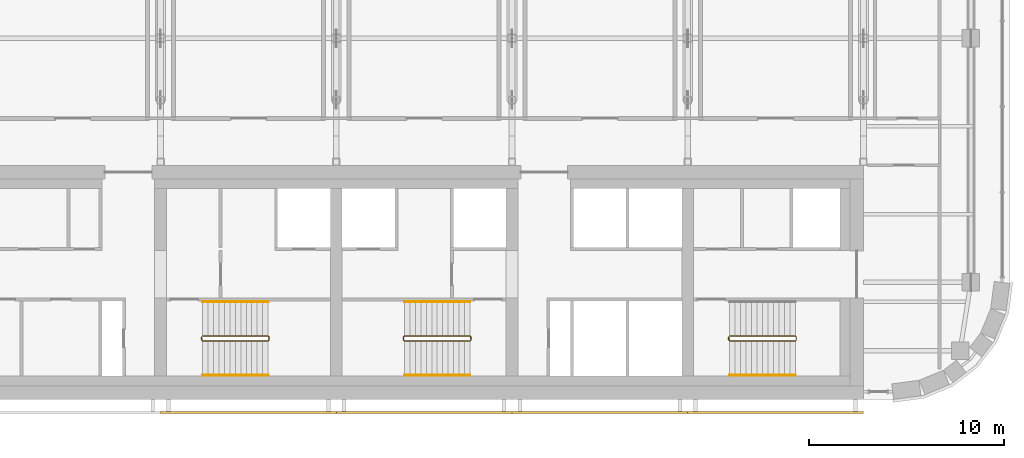
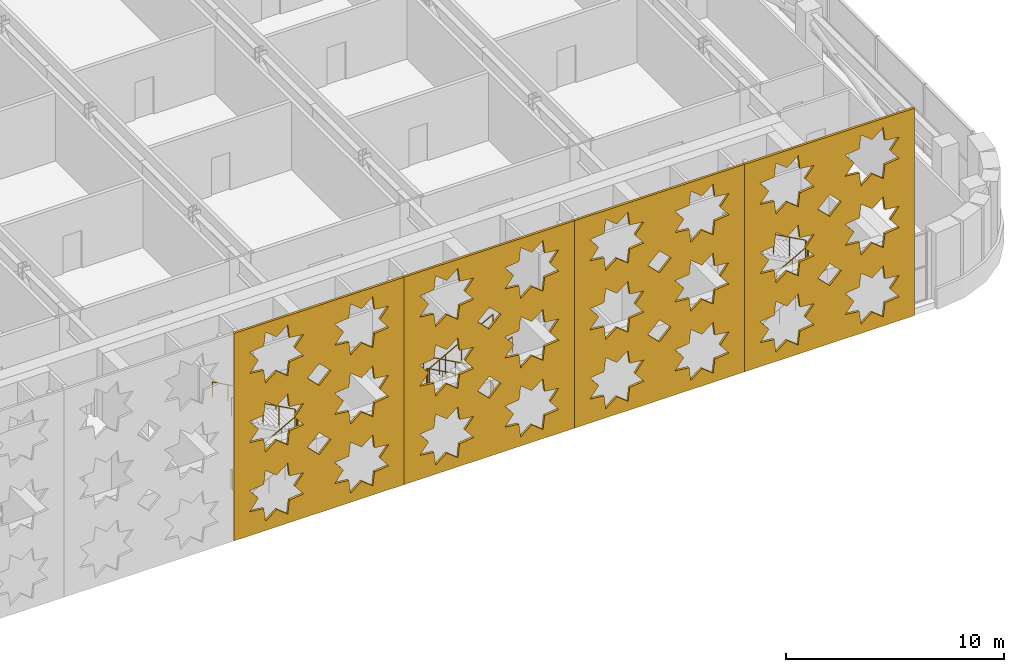
# One storey, part 22 of 26: 8 railings, 4 coverings.
"""IFC4 building model written with IfcOpenShell, lengths in metres."""

import ifcopenshell
import ifcopenshell.guid

model = None  # the IFC model being written
_history = None  # IfcOwnerHistory: only IFC2X3 demands one
_inside = {}  # id of a spatial element -> (the spatial element, [elements in it])
_under = {}  # id of a project, library or spatial element -> (it, [spatial elements below it])
_declared = {}  # id of a project -> (the project, [libraries it declares])
_typed = {}  # id of a type object -> (the type object, [elements of that type])
_made_of = {}  # id of a material, layer set ... -> (it, [elements and type objects made of it])


def new_model(schema):
    """Start an empty IFC model of exactly this schema.

    Asked for "IFC4X3", IfcOpenShell would pick the latest addendum, in which some entities
    have other attributes; the version numbers below select the first issue.
    IFC2X3 requires an IfcOwnerHistory on every rooted entity: one is made here for all.
    """
    global model, _history
    if schema == "IFC4X3":
        model = ifcopenshell.file(schema_version=(4, 3, 0, 0))
    else:
        model = ifcopenshell.file(schema=schema)
    _inside.clear()
    _under.clear()
    _declared.clear()
    _typed.clear()
    _made_of.clear()
    _history = None
    if model.schema == "IFC2X3":
        org = make("IfcOrganization", Name="unknown")
        user = make(
            "IfcPersonAndOrganization",
            ThePerson=make("IfcPerson", FamilyName="unknown"),
            TheOrganization=org,
        )
        app = make(
            "IfcApplication",
            ApplicationDeveloper=org,
            Version="unknown",
            ApplicationFullName="unknown",
            ApplicationIdentifier="unknown",
        )
        _history = make(
            "IfcOwnerHistory",
            OwningUser=user,
            OwningApplication=app,
            ChangeAction="ADDED",
            CreationDate=0,
        )
    return model


def make(cls, **values):
    """One entity of the class cls with the attributes given. An attribute that is None is left unset."""
    return model.create_entity(
        cls, **{name: value for name, value in values.items() if value is not None}
    )


def rooted(cls, **values):
    """An entity with a GlobalId (a new one), such as an element, a storey or a relation."""
    return make(cls, GlobalId=ifcopenshell.guid.new(), OwnerHistory=_history, **values)


def si_unit(unit_type, name, prefix=None):
    """IfcSIUnit, for example si_unit("LENGTHUNIT", "METRE", prefix="MILLI")."""
    return make("IfcSIUnit", UnitType=unit_type, Prefix=prefix, Name=name)


def assignment(units):
    """IfcUnitAssignment: the units of a project."""
    return None if units is None else make("IfcUnitAssignment", Units=units)


def point(xyz):
    """IfcCartesianPoint."""
    return None if xyz is None else make("IfcCartesianPoint", Coordinates=xyz)


def direction(xyz):
    """IfcDirection."""
    return None if xyz is None else make("IfcDirection", DirectionRatios=xyz)


def frame(location, z_axis=None, x_axis=None):
    """IfcAxis2Placement3D, a coordinate frame: its origin and axes. An axis left out is left unset."""
    return make(
        "IfcAxis2Placement3D",
        Location=point(location),
        Axis=direction(z_axis),
        RefDirection=direction(x_axis),
    )


def frame_2d(location, x_axis=None):
    """IfcAxis2Placement2D, a coordinate frame in the plane: its origin and x axis."""
    return make(
        "IfcAxis2Placement2D", Location=point(location), RefDirection=direction(x_axis)
    )


def origin():
    """The frame at (0, 0, 0) with its axes left unset."""
    return frame((0.0, 0.0, 0.0))


def origin_2d():
    """The frame at (0, 0) in the plane with its x axis left unset."""
    return frame_2d((0.0, 0.0))


def place(relative_to, where):
    """IfcLocalPlacement: puts the frame where relative to a parent placement (None: the world)."""
    return make(
        "IfcLocalPlacement", PlacementRelTo=relative_to, RelativePlacement=where
    )


def context(
    kind, dimensions, precision=None, world=None, true_north=None, identifier=None
):
    """IfcGeometricRepresentationContext, for example the 3D "Model" context."""
    return make(
        "IfcGeometricRepresentationContext",
        ContextIdentifier=identifier,
        ContextType=kind,
        CoordinateSpaceDimension=dimensions,
        Precision=precision,
        WorldCoordinateSystem=world,
        TrueNorth=true_north,
    )


def subcontext(parent, identifier, kind, view, scale=None):
    """IfcGeometricRepresentationSubContext, for example "Body" below "Model"."""
    return make(
        "IfcGeometricRepresentationSubContext",
        ContextIdentifier=identifier,
        ContextType=kind,
        ParentContext=parent,
        TargetScale=scale,
        TargetView=view,
    )


def project(units=None, contexts=None):
    """IfcProject with its units and contexts."""
    return rooted(
        "IfcProject",
        Name="project",
        RepresentationContexts=contexts,
        UnitsInContext=assignment(units),
    )


def spatial(cls, under=None, at=None, **own):
    """A site, building, storey or space (cls), placed at a placement, below another one or the project."""
    s = rooted(cls, ObjectPlacement=at, **own)
    if under is not None:
        _under.setdefault(under.id(), (under, []))[1].append(s)
    return s


def polyline(points):
    """IfcPolyline through the points."""
    return make("IfcPolyline", Points=[point(p) for p in points])


def profile(cls, at=None, kind="AREA", **sizes):
    """A parametric profile (cls). Its sizes go by their IFC names, for example OverallWidth=200.0."""
    return make(cls, ProfileType=kind, Position=at, **sizes)


def circle(**sizes):
    """IfcCircleProfileDef."""
    return profile("IfcCircleProfileDef", **sizes)


def outline(outer, holes=None, kind="AREA"):
    """IfcArbitraryClosedProfileDef: a profile drawn as a closed curve; with holes, ...WithVoids."""
    if holes is None:
        return make("IfcArbitraryClosedProfileDef", ProfileType=kind, OuterCurve=outer)
    return make(
        "IfcArbitraryProfileDefWithVoids",
        ProfileType=kind,
        OuterCurve=outer,
        InnerCurves=holes,
    )


def extrude(swept, where, along, depth):
    """IfcExtrudedAreaSolid: the profile swept, set in the frame where, extruded along a direction by depth."""
    return make(
        "IfcExtrudedAreaSolid",
        SweptArea=swept,
        Position=where,
        ExtrudedDirection=direction(along),
        Depth=depth,
    )


def shape(context_of_items, identifier, shape_type, items):
    """IfcShapeRepresentation: the items that make up one representation, for example the "Body"."""
    return make(
        "IfcShapeRepresentation",
        ContextOfItems=context_of_items,
        RepresentationIdentifier=identifier,
        RepresentationType=shape_type,
        Items=items,
    )


def material(Name=None, Category=None):
    """IfcMaterial."""
    return make("IfcMaterial", Name=Name, Category=Category)


def layer(
    of_material, thickness, ventilated=None, Name=None, Category=None, Priority=None
):
    """IfcMaterialLayer: one layer of a wall or slab, of a material (None: an air gap)."""
    return make(
        "IfcMaterialLayer",
        Material=of_material,
        LayerThickness=thickness,
        IsVentilated=ventilated,
        Name=Name,
        Category=Category,
        Priority=Priority,
    )


def layer_set(layers, Name=None):
    """IfcMaterialLayerSet."""
    return make("IfcMaterialLayerSet", MaterialLayers=layers, LayerSetName=Name)


def made_of(thing, what):
    """Note that an element or type object is made of a material, layer set ...; save() writes the relation."""
    if what is not None:
        _made_of.setdefault(what.id(), (what, []))[1].append(thing)
    return thing


def type_object(cls, material=None, **own):
    """A type object (cls), such as IfcWallType, which elements share."""
    return made_of(rooted(cls, **own), material)


def element(
    cls,
    number,
    at=None,
    inside=None,
    cuts=None,
    type_object=None,
    material=None,
    context=None,
    identifier="Body",
    shape_type=None,
    held_by="IfcProductDefinitionShape",
    body=None,
    shapes=None,
    **own,
):
    """One element of the class cls, such as IfcWall. Its Tag is "e" and its number.

    at: its placement. inside: the storey or other place that contains it. cuts: it is an
    opening in that element (IfcRelVoidsElement). A single representation is given by context,
    identifier, shape_type and body (its items); several are given by shapes. held_by: the class
    of the entity that holds the representations. save() writes the other relations.
    """
    e = rooted(cls, Tag="e%d" % number, ObjectPlacement=at, **own)
    if body is not None:
        shapes = [shape(context, identifier, shape_type, body)]
    if shapes is not None:
        e.Representation = make(held_by, Representations=shapes)
    if inside is not None:
        _inside.setdefault(inside.id(), (inside, []))[1].append(e)
    if cuts is not None:
        rooted(
            "IfcRelVoidsElement", RelatingBuildingElement=cuts, RelatedOpeningElement=e
        )
    if type_object is not None:
        _typed.setdefault(type_object.id(), (type_object, []))[1].append(e)
    return made_of(e, material)


def aggregate(whole, parts):
    """IfcRelAggregates: a whole, such as a stair, and the parts it consists of."""
    return rooted("IfcRelAggregates", RelatingObject=whole, RelatedObjects=parts)


def save(model, path):
    """Write the relations noted so far, then the file.

    IfcRelAggregates (storeys below a building ...), IfcRelContainedInSpatialStructure (elements
    in a storey), IfcRelDefinesByType, IfcRelAssociatesMaterial and IfcRelDeclares: one each for
    every whole, place, type object, material and project.
    """
    for whole, parts in _under.values():
        aggregate(whole, parts)
    for where, things in _inside.values():
        rooted(
            "IfcRelContainedInSpatialStructure",
            RelatedElements=things,
            RelatingStructure=where,
        )
    for kind, things in _typed.values():
        rooted("IfcRelDefinesByType", RelatedObjects=things, RelatingType=kind)
    for what, things in _made_of.values():
        rooted("IfcRelAssociatesMaterial", RelatedObjects=things, RelatingMaterial=what)
    for by, libraries in _declared.values():
        rooted("IfcRelDeclares", RelatingContext=by, RelatedDefinitions=libraries)
    model.write(path)


model = new_model("IFC4")

# Units and contexts
model_context = context("Model", 3, precision=1e-05, world=origin(), true_north=direction((0.0, 1.0)))
body_context = subcontext(model_context, "Body", "Model", "MODEL_VIEW")
ifc_project = project(units=[si_unit("LENGTHUNIT", "METRE"), si_unit("AREAUNIT", "SQUARE_METRE"), si_unit("VOLUMEUNIT", "CUBIC_METRE"), si_unit("PLANEANGLEUNIT", "RADIAN"), si_unit("MASSUNIT", "GRAM", prefix="KILO")], contexts=[model_context])

# Site, building, storey
site_placement = place(None, origin())
site = spatial("IfcSite", under=ifc_project, at=site_placement, CompositionType="ELEMENT")
building_placement = place(site_placement, origin())
building = spatial("IfcBuilding", under=site, at=building_placement, Name="Zellij Exchange Tower", CompositionType="ELEMENT")
storey_placement = place(building_placement, frame((0.0, 0.0, 216.5)))
storey = spatial("IfcBuildingStorey", under=building, at=storey_placement, Name="L50", CompositionType="ELEMENT", Elevation=216.5)

# Railings
ifc_material_1 = material(Name="Stainless steel", Category="steel")
railing_type_1 = type_object("IfcRailingType", Name="CORE-RG stair guard", PredefinedType="GUARDRAIL", material=ifc_material_1)
railing_1_placement = place(storey_placement, frame((-6.89990234375, -10.949951171875, 0.0)))
element("IfcRailing", 1, at=railing_1_placement, inside=storey, type_object=railing_type_1, Name="ST2 stair guard L50", PredefinedType="GUARDRAIL", context=body_context, shape_type="SweptSolid", body=[
    extrude(circle(Radius=0.02392578125, at=origin_2d()), frame((0.0, 0.0, 1.076171875), z_axis=(0.0, 1.0, 0.0), x_axis=(-1.0, 0.0, 0.0)), (0.0, 0.0, 1.0), 0.14990234375),
    extrude(circle(Radius=0.02392578125, at=origin_2d()), frame((0.0, 0.14990234375, 1.076171875), z_axis=(0.193691321961, -0.777613689637, 0.598164376644), x_axis=(0.970351222016, 0.241699205484, 0.0)), (0.0, 0.0, 1.0), 0.257080078125),
    extrude(circle(Radius=0.02392578125, at=origin_2d()), frame((0.0498046875, -0.050048828125, 1.22998046875), z_axis=(0.876421534553, 0.0, 0.481544695509), x_axis=(0.0, 1.0, 0.0)), (0.0, 0.0, 1.0), 3.833984375),
    extrude(circle(Radius=0.02392578125, at=origin_2d()), frame((3.409912109375, -0.050048828125, 3.076171875), z_axis=(0.707106781187, 0.707106781187, 0.0), x_axis=(-0.707106781187, 0.707106781187, 0.0)), (0.0, 0.0, 1.0), 0.07080078125),
    extrude(circle(Radius=0.02392578125, at=origin_2d()), frame((3.4599609375, 0.0, 3.076171875), z_axis=(0.0, 1.0, 0.0), x_axis=(-1.0, 0.0, 0.0)), (0.0, 0.0, 1.0), 0.14990234375),
    extrude(circle(Radius=0.02392578125, at=origin_2d()), frame((3.4599609375, 0.14990234375, 3.076171875), z_axis=(-0.295599637079, 0.295599637079, 0.908428152975), x_axis=(-0.707106781187, -0.707106781187, 0.0)), (0.0, 0.0, 1.0), 0.16943359375),
    extrude(circle(Radius=0.02392578125, at=origin_2d()), frame((3.409912109375, 0.199951171875, 3.22998046875), z_axis=(-0.876421534553, 0.0, 0.481544695509), x_axis=(0.0, -1.0, 0.0)), (0.0, 0.0, 1.0), 3.833984375),
    extrude(circle(Radius=0.02099609375, at=origin_2d()), origin(), (0.0, 0.0, 1.0), 1.052001953125),
    extrude(circle(Radius=0.02099609375, at=origin_2d()), frame((0.0, 0.14990234375, 0.0)), (0.0, 0.0, 1.0), 1.052001953125),
    extrude(circle(Radius=0.02099609375, at=origin_2d()), frame((0.0498046875, -0.050048828125, 0.15380859375)), (0.0, 0.0, 1.0), 1.052001953125),
    extrude(circle(Radius=0.02099609375, at=origin_2d()), frame((0.889892578125, -0.050048828125, 0.615234375)), (0.0, 0.0, 1.0), 1.052001953125),
    extrude(circle(Radius=0.02099609375, at=origin_2d()), frame((1.72998046875, -0.050048828125, 1.076904296875)), (0.0, 0.0, 1.0), 1.052001953125),
    extrude(circle(Radius=0.02099609375, at=origin_2d()), frame((2.56982421875, -0.050048828125, 1.53857421875)), (0.0, 0.0, 1.0), 1.052001953125),
    extrude(circle(Radius=0.02099609375, at=origin_2d()), frame((3.409912109375, -0.050048828125, 2.0)), (0.0, 0.0, 1.0), 1.052001953125),
    extrude(circle(Radius=0.02099609375, at=origin_2d()), frame((3.4599609375, 0.0, 2.0)), (0.0, 0.0, 1.0), 1.052001953125),
    extrude(circle(Radius=0.02099609375, at=origin_2d()), frame((3.4599609375, 0.14990234375, 2.0)), (0.0, 0.0, 1.0), 1.052001953125),
    extrude(circle(Radius=0.02099609375, at=origin_2d()), frame((3.409912109375, 0.199951171875, 2.15380859375)), (0.0, 0.0, 1.0), 1.052001953125),
    extrude(circle(Radius=0.02099609375, at=origin_2d()), frame((2.56982421875, 0.199951171875, 2.615234375)), (0.0, 0.0, 1.0), 1.052001953125),
    extrude(circle(Radius=0.02099609375, at=origin_2d()), frame((1.72998046875, 0.199951171875, 3.076904296875)), (0.0, 0.0, 1.0), 1.052001953125),
    extrude(circle(Radius=0.02099609375, at=origin_2d()), frame((0.889892578125, 0.199951171875, 3.53857421875)), (0.0, 0.0, 1.0), 1.052001953125),
    extrude(circle(Radius=0.02099609375, at=origin_2d()), frame((0.0498046875, 0.199951171875, 4.0)), (0.0, 0.0, 1.0), 1.052001953125),
])
railing_2_placement = place(storey_placement, frame((6.89990234375, -10.800048828125, 0.0)))
element("IfcRailing", 2, at=railing_2_placement, inside=storey, type_object=railing_type_1, Name="ST3 stair guard L50", PredefinedType="GUARDRAIL", context=body_context, shape_type="SweptSolid", body=[
    extrude(circle(Radius=0.02392578125, at=origin_2d()), frame((0.0, 0.0, 1.076171875), z_axis=(0.0, -1.0, 0.0), x_axis=(1.0, 0.0, 0.0)), (0.0, 0.0, 1.0), 0.14990234375),
    extrude(circle(Radius=0.02392578125, at=origin_2d()), frame((0.0, -0.14990234375, 1.076171875), z_axis=(-0.193691321961, 0.777613689637, 0.598164376644), x_axis=(-0.970351222016, -0.241699205484, 0.0)), (0.0, 0.0, 1.0), 0.257080078125),
    extrude(circle(Radius=0.02392578125, at=origin_2d()), frame((-0.0498046875, 0.050048828125, 1.22998046875), z_axis=(-0.876421534553, 0.0, 0.481544695509), x_axis=(0.0, -1.0, 0.0)), (0.0, 0.0, 1.0), 3.833984375),
    extrude(circle(Radius=0.02392578125, at=origin_2d()), frame((-3.409912109375, 0.050048828125, 3.076171875), z_axis=(-0.707106781187, -0.707106781187, 0.0), x_axis=(0.707106781187, -0.707106781187, 0.0)), (0.0, 0.0, 1.0), 0.07080078125),
    extrude(circle(Radius=0.02392578125, at=origin_2d()), frame((-3.4599609375, 0.0, 3.076171875), z_axis=(0.0, -1.0, 0.0), x_axis=(1.0, 0.0, 0.0)), (0.0, 0.0, 1.0), 0.14990234375),
    extrude(circle(Radius=0.02392578125, at=origin_2d()), frame((-3.4599609375, -0.14990234375, 3.076171875), z_axis=(0.295599637079, -0.295599637079, 0.908428152975), x_axis=(0.707106781187, 0.707106781187, 0.0)), (0.0, 0.0, 1.0), 0.16943359375),
    extrude(circle(Radius=0.02392578125, at=origin_2d()), frame((-3.409912109375, -0.199951171875, 3.22998046875), z_axis=(0.876421534553, 0.0, 0.481544695509), x_axis=(0.0, 1.0, 0.0)), (0.0, 0.0, 1.0), 3.833984375),
    extrude(circle(Radius=0.02099609375, at=origin_2d()), origin(), (0.0, 0.0, 1.0), 1.052001953125),
    extrude(circle(Radius=0.02099609375, at=origin_2d()), frame((0.0, -0.14990234375, 0.0)), (0.0, 0.0, 1.0), 1.052001953125),
    extrude(circle(Radius=0.02099609375, at=origin_2d()), frame((-0.0498046875, 0.050048828125, 0.15380859375)), (0.0, 0.0, 1.0), 1.052001953125),
    extrude(circle(Radius=0.02099609375, at=origin_2d()), frame((-0.889892578125, 0.050048828125, 0.615234375)), (0.0, 0.0, 1.0), 1.052001953125),
    extrude(circle(Radius=0.02099609375, at=origin_2d()), frame((-1.72998046875, 0.050048828125, 1.076904296875)), (0.0, 0.0, 1.0), 1.052001953125),
    extrude(circle(Radius=0.02099609375, at=origin_2d()), frame((-2.56982421875, 0.050048828125, 1.53857421875)), (0.0, 0.0, 1.0), 1.052001953125),
    extrude(circle(Radius=0.02099609375, at=origin_2d()), frame((-3.409912109375, 0.050048828125, 2.0)), (0.0, 0.0, 1.0), 1.052001953125),
    extrude(circle(Radius=0.02099609375, at=origin_2d()), frame((-3.4599609375, 0.0, 2.0)), (0.0, 0.0, 1.0), 1.052001953125),
    extrude(circle(Radius=0.02099609375, at=origin_2d()), frame((-3.4599609375, -0.14990234375, 2.0)), (0.0, 0.0, 1.0), 1.052001953125),
    extrude(circle(Radius=0.02099609375, at=origin_2d()), frame((-3.409912109375, -0.199951171875, 2.15380859375)), (0.0, 0.0, 1.0), 1.052001953125),
    extrude(circle(Radius=0.02099609375, at=origin_2d()), frame((-2.56982421875, -0.199951171875, 2.615234375)), (0.0, 0.0, 1.0), 1.052001953125),
    extrude(circle(Radius=0.02099609375, at=origin_2d()), frame((-1.72998046875, -0.199951171875, 3.076904296875)), (0.0, 0.0, 1.0), 1.052001953125),
    extrude(circle(Radius=0.02099609375, at=origin_2d()), frame((-0.889892578125, -0.199951171875, 3.53857421875)), (0.0, 0.0, 1.0), 1.052001953125),
    extrude(circle(Radius=0.02099609375, at=origin_2d()), frame((-0.0498046875, -0.199951171875, 4.0)), (0.0, 0.0, 1.0), 1.052001953125),
])
railing_3_placement = place(storey_placement, frame((20.10009765625, -10.949951171875, 0.0)))
element("IfcRailing", 3, at=railing_3_placement, inside=storey, type_object=railing_type_1, Name="ST4 stair guard L50", PredefinedType="GUARDRAIL", context=body_context, shape_type="SweptSolid", body=[
    extrude(circle(Radius=0.02392578125, at=origin_2d()), frame((0.0, 0.0, 1.076171875), z_axis=(0.0, 1.0, 0.0), x_axis=(-1.0, 0.0, 0.0)), (0.0, 0.0, 1.0), 0.14990234375),
    extrude(circle(Radius=0.02392578125, at=origin_2d()), frame((0.0, 0.14990234375, 1.076171875), z_axis=(0.193691321961, -0.777613689637, 0.598164376644), x_axis=(0.970351222016, 0.241699205484, 0.0)), (0.0, 0.0, 1.0), 0.257080078125),
    extrude(circle(Radius=0.02392578125, at=origin_2d()), frame((0.0498046875, -0.050048828125, 1.22998046875), z_axis=(0.876421534553, 0.0, 0.481544695509), x_axis=(0.0, 1.0, 0.0)), (0.0, 0.0, 1.0), 3.833984375),
    extrude(circle(Radius=0.02392578125, at=origin_2d()), frame((3.409912109375, -0.050048828125, 3.076171875), z_axis=(0.707106781187, 0.707106781187, 0.0), x_axis=(-0.707106781187, 0.707106781187, 0.0)), (0.0, 0.0, 1.0), 0.07080078125),
    extrude(circle(Radius=0.02392578125, at=origin_2d()), frame((3.4599609375, 0.0, 3.076171875), z_axis=(0.0, 1.0, 0.0), x_axis=(-1.0, 0.0, 0.0)), (0.0, 0.0, 1.0), 0.14990234375),
    extrude(circle(Radius=0.02392578125, at=origin_2d()), frame((3.4599609375, 0.14990234375, 3.076171875), z_axis=(-0.295599637079, 0.295599637079, 0.908428152975), x_axis=(-0.707106781187, -0.707106781187, 0.0)), (0.0, 0.0, 1.0), 0.16943359375),
    extrude(circle(Radius=0.02392578125, at=origin_2d()), frame((3.409912109375, 0.199951171875, 3.22998046875), z_axis=(-0.876421534553, 0.0, 0.481544695509), x_axis=(0.0, -1.0, 0.0)), (0.0, 0.0, 1.0), 3.833984375),
    extrude(circle(Radius=0.02099609375, at=origin_2d()), origin(), (0.0, 0.0, 1.0), 1.052001953125),
    extrude(circle(Radius=0.02099609375, at=origin_2d()), frame((0.0, 0.14990234375, 0.0)), (0.0, 0.0, 1.0), 1.052001953125),
    extrude(circle(Radius=0.02099609375, at=origin_2d()), frame((0.0498046875, -0.050048828125, 0.15380859375)), (0.0, 0.0, 1.0), 1.052001953125),
    extrude(circle(Radius=0.02099609375, at=origin_2d()), frame((0.889892578125, -0.050048828125, 0.615234375)), (0.0, 0.0, 1.0), 1.052001953125),
    extrude(circle(Radius=0.02099609375, at=origin_2d()), frame((1.72998046875, -0.050048828125, 1.076904296875)), (0.0, 0.0, 1.0), 1.052001953125),
    extrude(circle(Radius=0.02099609375, at=origin_2d()), frame((2.56982421875, -0.050048828125, 1.53857421875)), (0.0, 0.0, 1.0), 1.052001953125),
    extrude(circle(Radius=0.02099609375, at=origin_2d()), frame((3.409912109375, -0.050048828125, 2.0)), (0.0, 0.0, 1.0), 1.052001953125),
    extrude(circle(Radius=0.02099609375, at=origin_2d()), frame((3.4599609375, 0.0, 2.0)), (0.0, 0.0, 1.0), 1.052001953125),
    extrude(circle(Radius=0.02099609375, at=origin_2d()), frame((3.4599609375, 0.14990234375, 2.0)), (0.0, 0.0, 1.0), 1.052001953125),
    extrude(circle(Radius=0.02099609375, at=origin_2d()), frame((3.409912109375, 0.199951171875, 2.15380859375)), (0.0, 0.0, 1.0), 1.052001953125),
    extrude(circle(Radius=0.02099609375, at=origin_2d()), frame((2.56982421875, 0.199951171875, 2.615234375)), (0.0, 0.0, 1.0), 1.052001953125),
    extrude(circle(Radius=0.02099609375, at=origin_2d()), frame((1.72998046875, 0.199951171875, 3.076904296875)), (0.0, 0.0, 1.0), 1.052001953125),
    extrude(circle(Radius=0.02099609375, at=origin_2d()), frame((0.889892578125, 0.199951171875, 3.53857421875)), (0.0, 0.0, 1.0), 1.052001953125),
    extrude(circle(Radius=0.02099609375, at=origin_2d()), frame((0.0498046875, 0.199951171875, 4.0)), (0.0, 0.0, 1.0), 1.052001953125),
])
railing_type_2 = type_object("IfcRailingType", Name="CORE-RH stair handrail", PredefinedType="HANDRAIL", material=ifc_material_1)
railing_4_placement = place(storey_placement, frame((-6.85009765625, -12.75, 0.15380859375)))
element("IfcRailing", 4, at=railing_4_placement, inside=storey, type_object=railing_type_2, Name="ST2 stair handrail L50", PredefinedType="HANDRAIL", context=body_context, shape_type="SweptSolid", body=[
    extrude(circle(Radius=0.02392578125, at=origin_2d()), frame((0.0, 0.0, 0.8759765625), z_axis=(0.876421534553, 0.0, 0.481544695509), x_axis=(0.0, 1.0, 0.0)), (0.0, 0.0, 1.0), 3.833984375),
    extrude(circle(Radius=0.02099609375, at=origin_2d()), origin(), (0.0, 0.0, 1.0), 0.851806640625),
    extrude(circle(Radius=0.02099609375, at=origin_2d()), frame((0.840087890625, 0.0, 0.46142578125)), (0.0, 0.0, 1.0), 0.851806640625),
    extrude(circle(Radius=0.02099609375, at=origin_2d()), frame((1.68017578125, 0.0, 0.923095703125)), (0.0, 0.0, 1.0), 0.851806640625),
    extrude(circle(Radius=0.02099609375, at=origin_2d()), frame((2.52001953125, 0.0, 1.384765625)), (0.0, 0.0, 1.0), 0.851806640625),
    extrude(circle(Radius=0.02099609375, at=origin_2d()), frame((3.360107421875, 0.0, 1.84619140625)), (0.0, 0.0, 1.0), 0.851806640625),
])
for number, where, name in (
    (5, (-3.489990234375, -9.0, 2.15380859375), "ST2 stair handrail L50"),
    (6, (6.85009765625, -9.0, 0.15380859375), "ST3 stair handrail L50"),
):
    element("IfcRailing", number, at=place(storey_placement, frame(where)), inside=storey, type_object=railing_type_2, Name=name, PredefinedType="HANDRAIL", context=body_context, shape_type="SweptSolid", body=[
        extrude(circle(Radius=0.02392578125, at=origin_2d()), frame((0.0, 0.0, 0.8759765625), z_axis=(-0.876421534553, 0.0, 0.481544695509), x_axis=(0.0, -1.0, 0.0)), (0.0, 0.0, 1.0), 3.833984375),
        extrude(circle(Radius=0.02099609375, at=origin_2d()), origin(), (0.0, 0.0, 1.0), 0.851806640625),
        extrude(circle(Radius=0.02099609375, at=origin_2d()), frame((-0.840087890625, 0.0, 0.46142578125)), (0.0, 0.0, 1.0), 0.851806640625),
        extrude(circle(Radius=0.02099609375, at=origin_2d()), frame((-1.68017578125, 0.0, 0.923095703125)), (0.0, 0.0, 1.0), 0.851806640625),
        extrude(circle(Radius=0.02099609375, at=origin_2d()), frame((-2.52001953125, 0.0, 1.384765625)), (0.0, 0.0, 1.0), 0.851806640625),
        extrude(circle(Radius=0.02099609375, at=origin_2d()), frame((-3.360107421875, 0.0, 1.84619140625)), (0.0, 0.0, 1.0), 0.851806640625),
    ])
for number, where, name in (
    (7, (3.489990234375, -12.75, 2.15380859375), "ST3 stair handrail L50"),
    (8, (20.14990234375, -12.75, 0.15380859375), "ST4 stair handrail L50"),
):
    element("IfcRailing", number, at=place(storey_placement, frame(where)), inside=storey, type_object=railing_type_2, Name=name, PredefinedType="HANDRAIL", context=body_context, shape_type="SweptSolid", body=[
        extrude(circle(Radius=0.02392578125, at=origin_2d()), frame((0.0, 0.0, 0.8759765625), z_axis=(0.876421534553, 0.0, 0.481544695509), x_axis=(0.0, 1.0, 0.0)), (0.0, 0.0, 1.0), 3.833984375),
        extrude(circle(Radius=0.02099609375, at=origin_2d()), origin(), (0.0, 0.0, 1.0), 0.851806640625),
        extrude(circle(Radius=0.02099609375, at=origin_2d()), frame((0.840087890625, 0.0, 0.46142578125)), (0.0, 0.0, 1.0), 0.851806640625),
        extrude(circle(Radius=0.02099609375, at=origin_2d()), frame((1.68017578125, 0.0, 0.923095703125)), (0.0, 0.0, 1.0), 0.851806640625),
        extrude(circle(Radius=0.02099609375, at=origin_2d()), frame((2.52001953125, 0.0, 1.384765625)), (0.0, 0.0, 1.0), 0.851806640625),
        extrude(circle(Radius=0.02099609375, at=origin_2d()), frame((3.360107421875, 0.0, 1.84619140625)), (0.0, 0.0, 1.0), 0.851806640625),
    ])

# Coverings
ifc_material_2 = material(Name="Limestone screen", Category="masonry")
ifc_layer = layer(ifc_material_2, 0.1201171875)
ifc_layer_set = layer_set([ifc_layer], Name="Limestone screen")
covering_type = type_object("IfcCoveringType", Name="ENV-SC5 Pierced stone relief 120", PredefinedType="USERDEFINED", material=ifc_layer_set)
covering_1_placement = place(storey_placement, frame((-9.0, -14.659912109375, 0.199951171875), z_axis=(0.0, 0.0, 1.0), x_axis=(1.0, 0.0, 0.0)))
element("IfcCovering", 9, at=covering_1_placement, inside=storey, type_object=covering_type, Name="Pierced stone relief", ObjectType="SCREEN", PredefinedType="USERDEFINED", context=body_context, shape_type="SweptSolid", body=[
    extrude(outline(polyline([(0.0, 0.0), (9.0, 0.0), (9.0, 11.60009765625), (0.0, 11.60009765625), (0.0, 0.0)]), holes=[polyline([(3.678955078125, 2.525146484375), (2.927978515625, 2.611328125), (2.841796875, 3.3623046875), (2.25, 2.892333984375), (1.658203125, 3.3623046875), (1.572021484375, 2.611328125), (0.821044921875, 2.525146484375), (1.291015625, 1.933349609375), (0.821044921875, 1.34130859375), (1.572021484375, 1.25537109375), (1.658203125, 0.50439453125), (2.25, 0.974365234375), (2.841796875, 0.50439453125), (2.927978515625, 1.25537109375), (3.678955078125, 1.34130859375), (3.208984375, 1.933349609375), (3.678955078125, 2.525146484375)]), polyline([(3.678955078125, 6.391845703125), (2.927978515625, 6.47802734375), (2.841796875, 7.22900390625), (2.25, 6.7587890625), (1.658203125, 7.22900390625), (1.572021484375, 6.47802734375), (0.821044921875, 6.391845703125), (1.291015625, 5.800048828125), (0.821044921875, 5.2080078125), (1.572021484375, 5.121826171875), (1.658203125, 4.37109375), (2.25, 4.841064453125), (2.841796875, 4.37109375), (2.927978515625, 5.121826171875), (3.678955078125, 5.2080078125), (3.208984375, 5.800048828125), (3.678955078125, 6.391845703125)]), polyline([(3.678955078125, 10.258544921875), (2.927978515625, 10.3447265625), (2.841796875, 11.095703125), (2.25, 10.62548828125), (1.658203125, 11.095703125), (1.572021484375, 10.3447265625), (0.821044921875, 10.258544921875), (1.291015625, 9.666748046875), (0.821044921875, 9.07470703125), (1.572021484375, 8.988525390625), (1.658203125, 8.23779296875), (2.25, 8.707763671875), (2.841796875, 8.23779296875), (2.927978515625, 8.988525390625), (3.678955078125, 9.07470703125), (3.208984375, 9.666748046875), (3.678955078125, 10.258544921875)]), polyline([(8.178955078125, 2.525146484375), (7.427978515625, 2.611328125), (7.341796875, 3.3623046875), (6.75, 2.892333984375), (6.158203125, 3.3623046875), (6.072021484375, 2.611328125), (5.321044921875, 2.525146484375), (5.791015625, 1.933349609375), (5.321044921875, 1.34130859375), (6.072021484375, 1.25537109375), (6.158203125, 0.50439453125), (6.75, 0.974365234375), (7.341796875, 0.50439453125), (7.427978515625, 1.25537109375), (8.178955078125, 1.34130859375), (7.708984375, 1.933349609375), (8.178955078125, 2.525146484375)]), polyline([(8.178955078125, 6.391845703125), (7.427978515625, 6.47802734375), (7.341796875, 7.22900390625), (6.75, 6.7587890625), (6.158203125, 7.22900390625), (6.072021484375, 6.47802734375), (5.321044921875, 6.391845703125), (5.791015625, 5.800048828125), (5.321044921875, 5.2080078125), (6.072021484375, 5.121826171875), (6.158203125, 4.37109375), (6.75, 4.841064453125), (7.341796875, 4.37109375), (7.427978515625, 5.121826171875), (8.178955078125, 5.2080078125), (7.708984375, 5.800048828125), (8.178955078125, 6.391845703125)]), polyline([(8.178955078125, 10.258544921875), (7.427978515625, 10.3447265625), (7.341796875, 11.095703125), (6.75, 10.62548828125), (6.158203125, 11.095703125), (6.072021484375, 10.3447265625), (5.321044921875, 10.258544921875), (5.791015625, 9.666748046875), (5.321044921875, 9.07470703125), (6.072021484375, 8.988525390625), (6.158203125, 8.23779296875), (6.75, 8.707763671875), (7.341796875, 8.23779296875), (7.427978515625, 8.988525390625), (8.178955078125, 9.07470703125), (7.708984375, 9.666748046875), (8.178955078125, 10.258544921875)]), polyline([(5.11865234375, 3.86669921875), (4.5, 4.4853515625), (3.88134765625, 3.86669921875), (4.5, 3.248046875), (5.11865234375, 3.86669921875)]), polyline([(5.11865234375, 7.7333984375), (4.5, 8.35205078125), (3.88134765625, 7.7333984375), (4.5, 7.11474609375), (5.11865234375, 7.7333984375)])]), frame((0.0, 0.06005859375, 0.0), z_axis=(0.0, -1.0, 0.0), x_axis=(1.0, 0.0, 0.0)), (0.0, 0.0, 1.0), 0.1201171875),
])
covering_2_placement = place(storey_placement, frame((0.0, -14.659912109375, 0.199951171875), z_axis=(0.0, 0.0, 1.0), x_axis=(1.0, 0.0, 0.0)))
element("IfcCovering", 10, at=covering_2_placement, inside=storey, type_object=covering_type, Name="Pierced stone relief", ObjectType="SCREEN", PredefinedType="USERDEFINED", context=body_context, shape_type="SweptSolid", body=[
    extrude(outline(polyline([(0.0, 0.0), (9.0, 0.0), (9.0, 11.60009765625), (0.0, 11.60009765625), (0.0, 0.0)]), holes=[polyline([(3.678955078125, 2.525146484375), (2.927978515625, 2.611328125), (2.841796875, 3.3623046875), (2.25, 2.892333984375), (1.658203125, 3.3623046875), (1.572021484375, 2.611328125), (0.821044921875, 2.525146484375), (1.291015625, 1.933349609375), (0.821044921875, 1.34130859375), (1.572021484375, 1.25537109375), (1.658203125, 0.50439453125), (2.25, 0.974365234375), (2.841796875, 0.50439453125), (2.927978515625, 1.25537109375), (3.678955078125, 1.34130859375), (3.208984375, 1.933349609375), (3.678955078125, 2.525146484375)]), polyline([(3.678955078125, 6.391845703125), (2.927978515625, 6.47802734375), (2.841796875, 7.22900390625), (2.25, 6.7587890625), (1.658203125, 7.22900390625), (1.572021484375, 6.47802734375), (0.821044921875, 6.391845703125), (1.291015625, 5.800048828125), (0.821044921875, 5.2080078125), (1.572021484375, 5.121826171875), (1.658203125, 4.37109375), (2.25, 4.841064453125), (2.841796875, 4.37109375), (2.927978515625, 5.121826171875), (3.678955078125, 5.2080078125), (3.208984375, 5.800048828125), (3.678955078125, 6.391845703125)]), polyline([(3.678955078125, 10.258544921875), (2.927978515625, 10.3447265625), (2.841796875, 11.095703125), (2.25, 10.62548828125), (1.658203125, 11.095703125), (1.572021484375, 10.3447265625), (0.821044921875, 10.258544921875), (1.291015625, 9.666748046875), (0.821044921875, 9.07470703125), (1.572021484375, 8.988525390625), (1.658203125, 8.23779296875), (2.25, 8.707763671875), (2.841796875, 8.23779296875), (2.927978515625, 8.988525390625), (3.678955078125, 9.07470703125), (3.208984375, 9.666748046875), (3.678955078125, 10.258544921875)]), polyline([(8.178955078125, 2.525146484375), (7.427978515625, 2.611328125), (7.341796875, 3.3623046875), (6.75, 2.892333984375), (6.158203125, 3.3623046875), (6.072021484375, 2.611328125), (5.321044921875, 2.525146484375), (5.791015625, 1.933349609375), (5.321044921875, 1.34130859375), (6.072021484375, 1.25537109375), (6.158203125, 0.50439453125), (6.75, 0.974365234375), (7.341796875, 0.50439453125), (7.427978515625, 1.25537109375), (8.178955078125, 1.34130859375), (7.708984375, 1.933349609375), (8.178955078125, 2.525146484375)]), polyline([(8.178955078125, 6.391845703125), (7.427978515625, 6.47802734375), (7.341796875, 7.22900390625), (6.75, 6.7587890625), (6.158203125, 7.22900390625), (6.072021484375, 6.47802734375), (5.321044921875, 6.391845703125), (5.791015625, 5.800048828125), (5.321044921875, 5.2080078125), (6.072021484375, 5.121826171875), (6.158203125, 4.37109375), (6.75, 4.841064453125), (7.341796875, 4.37109375), (7.427978515625, 5.121826171875), (8.178955078125, 5.2080078125), (7.708984375, 5.800048828125), (8.178955078125, 6.391845703125)]), polyline([(8.178955078125, 10.258544921875), (7.427978515625, 10.3447265625), (7.341796875, 11.095703125), (6.75, 10.62548828125), (6.158203125, 11.095703125), (6.072021484375, 10.3447265625), (5.321044921875, 10.258544921875), (5.791015625, 9.666748046875), (5.321044921875, 9.07470703125), (6.072021484375, 8.988525390625), (6.158203125, 8.23779296875), (6.75, 8.707763671875), (7.341796875, 8.23779296875), (7.427978515625, 8.988525390625), (8.178955078125, 9.07470703125), (7.708984375, 9.666748046875), (8.178955078125, 10.258544921875)]), polyline([(5.11865234375, 3.86669921875), (4.5, 4.4853515625), (3.88134765625, 3.86669921875), (4.5, 3.248046875), (5.11865234375, 3.86669921875)]), polyline([(5.11865234375, 7.7333984375), (4.5, 8.35205078125), (3.88134765625, 7.7333984375), (4.5, 7.11474609375), (5.11865234375, 7.7333984375)])]), frame((0.0, 0.06005859375, 0.0), z_axis=(0.0, -1.0, 0.0), x_axis=(1.0, 0.0, 0.0)), (0.0, 0.0, 1.0), 0.1201171875),
])
covering_3_placement = place(storey_placement, frame((9.0, -14.659912109375, 0.199951171875), z_axis=(0.0, 0.0, 1.0), x_axis=(1.0, 0.0, 0.0)))
element("IfcCovering", 11, at=covering_3_placement, inside=storey, type_object=covering_type, Name="Pierced stone relief", ObjectType="SCREEN", PredefinedType="USERDEFINED", context=body_context, shape_type="SweptSolid", body=[
    extrude(outline(polyline([(0.0, 0.0), (9.0, 0.0), (9.0, 11.60009765625), (0.0, 11.60009765625), (0.0, 0.0)]), holes=[polyline([(3.678955078125, 2.525146484375), (2.927978515625, 2.611328125), (2.841796875, 3.3623046875), (2.25, 2.892333984375), (1.658203125, 3.3623046875), (1.572021484375, 2.611328125), (0.821044921875, 2.525146484375), (1.291015625, 1.933349609375), (0.821044921875, 1.34130859375), (1.572021484375, 1.25537109375), (1.658203125, 0.50439453125), (2.25, 0.974365234375), (2.841796875, 0.50439453125), (2.927978515625, 1.25537109375), (3.678955078125, 1.34130859375), (3.208984375, 1.933349609375), (3.678955078125, 2.525146484375)]), polyline([(3.678955078125, 6.391845703125), (2.927978515625, 6.47802734375), (2.841796875, 7.22900390625), (2.25, 6.7587890625), (1.658203125, 7.22900390625), (1.572021484375, 6.47802734375), (0.821044921875, 6.391845703125), (1.291015625, 5.800048828125), (0.821044921875, 5.2080078125), (1.572021484375, 5.121826171875), (1.658203125, 4.37109375), (2.25, 4.841064453125), (2.841796875, 4.37109375), (2.927978515625, 5.121826171875), (3.678955078125, 5.2080078125), (3.208984375, 5.800048828125), (3.678955078125, 6.391845703125)]), polyline([(3.678955078125, 10.258544921875), (2.927978515625, 10.3447265625), (2.841796875, 11.095703125), (2.25, 10.62548828125), (1.658203125, 11.095703125), (1.572021484375, 10.3447265625), (0.821044921875, 10.258544921875), (1.291015625, 9.666748046875), (0.821044921875, 9.07470703125), (1.572021484375, 8.988525390625), (1.658203125, 8.23779296875), (2.25, 8.707763671875), (2.841796875, 8.23779296875), (2.927978515625, 8.988525390625), (3.678955078125, 9.07470703125), (3.208984375, 9.666748046875), (3.678955078125, 10.258544921875)]), polyline([(8.178955078125, 2.525146484375), (7.427978515625, 2.611328125), (7.341796875, 3.3623046875), (6.75, 2.892333984375), (6.158203125, 3.3623046875), (6.072021484375, 2.611328125), (5.321044921875, 2.525146484375), (5.791015625, 1.933349609375), (5.321044921875, 1.34130859375), (6.072021484375, 1.25537109375), (6.158203125, 0.50439453125), (6.75, 0.974365234375), (7.341796875, 0.50439453125), (7.427978515625, 1.25537109375), (8.178955078125, 1.34130859375), (7.708984375, 1.933349609375), (8.178955078125, 2.525146484375)]), polyline([(8.178955078125, 6.391845703125), (7.427978515625, 6.47802734375), (7.341796875, 7.22900390625), (6.75, 6.7587890625), (6.158203125, 7.22900390625), (6.072021484375, 6.47802734375), (5.321044921875, 6.391845703125), (5.791015625, 5.800048828125), (5.321044921875, 5.2080078125), (6.072021484375, 5.121826171875), (6.158203125, 4.37109375), (6.75, 4.841064453125), (7.341796875, 4.37109375), (7.427978515625, 5.121826171875), (8.178955078125, 5.2080078125), (7.708984375, 5.800048828125), (8.178955078125, 6.391845703125)]), polyline([(8.178955078125, 10.258544921875), (7.427978515625, 10.3447265625), (7.341796875, 11.095703125), (6.75, 10.62548828125), (6.158203125, 11.095703125), (6.072021484375, 10.3447265625), (5.321044921875, 10.258544921875), (5.791015625, 9.666748046875), (5.321044921875, 9.07470703125), (6.072021484375, 8.988525390625), (6.158203125, 8.23779296875), (6.75, 8.707763671875), (7.341796875, 8.23779296875), (7.427978515625, 8.988525390625), (8.178955078125, 9.07470703125), (7.708984375, 9.666748046875), (8.178955078125, 10.258544921875)]), polyline([(5.11865234375, 3.86669921875), (4.5, 4.4853515625), (3.88134765625, 3.86669921875), (4.5, 3.248046875), (5.11865234375, 3.86669921875)]), polyline([(5.11865234375, 7.7333984375), (4.5, 8.35205078125), (3.88134765625, 7.7333984375), (4.5, 7.11474609375), (5.11865234375, 7.7333984375)])]), frame((0.0, 0.06005859375, 0.0), z_axis=(0.0, -1.0, 0.0), x_axis=(1.0, 0.0, 0.0)), (0.0, 0.0, 1.0), 0.1201171875),
])
covering_4_placement = place(storey_placement, frame((18.0, -14.659912109375, 0.199951171875), z_axis=(0.0, 0.0, 1.0), x_axis=(1.0, 0.0, 0.0)))
element("IfcCovering", 12, at=covering_4_placement, inside=storey, type_object=covering_type, Name="Pierced stone relief", ObjectType="SCREEN", PredefinedType="USERDEFINED", context=body_context, shape_type="SweptSolid", body=[
    extrude(outline(polyline([(0.0, 0.0), (9.0, 0.0), (9.0, 11.60009765625), (0.0, 11.60009765625), (0.0, 0.0)]), holes=[polyline([(3.678955078125, 2.525146484375), (2.927978515625, 2.611328125), (2.841796875, 3.3623046875), (2.25, 2.892333984375), (1.658203125, 3.3623046875), (1.572021484375, 2.611328125), (0.821044921875, 2.525146484375), (1.291015625, 1.933349609375), (0.821044921875, 1.34130859375), (1.572021484375, 1.25537109375), (1.658203125, 0.50439453125), (2.25, 0.974365234375), (2.841796875, 0.50439453125), (2.927978515625, 1.25537109375), (3.678955078125, 1.34130859375), (3.208984375, 1.933349609375), (3.678955078125, 2.525146484375)]), polyline([(3.678955078125, 6.391845703125), (2.927978515625, 6.47802734375), (2.841796875, 7.22900390625), (2.25, 6.7587890625), (1.658203125, 7.22900390625), (1.572021484375, 6.47802734375), (0.821044921875, 6.391845703125), (1.291015625, 5.800048828125), (0.821044921875, 5.2080078125), (1.572021484375, 5.121826171875), (1.658203125, 4.37109375), (2.25, 4.841064453125), (2.841796875, 4.37109375), (2.927978515625, 5.121826171875), (3.678955078125, 5.2080078125), (3.208984375, 5.800048828125), (3.678955078125, 6.391845703125)]), polyline([(3.678955078125, 10.258544921875), (2.927978515625, 10.3447265625), (2.841796875, 11.095703125), (2.25, 10.62548828125), (1.658203125, 11.095703125), (1.572021484375, 10.3447265625), (0.821044921875, 10.258544921875), (1.291015625, 9.666748046875), (0.821044921875, 9.07470703125), (1.572021484375, 8.988525390625), (1.658203125, 8.23779296875), (2.25, 8.707763671875), (2.841796875, 8.23779296875), (2.927978515625, 8.988525390625), (3.678955078125, 9.07470703125), (3.208984375, 9.666748046875), (3.678955078125, 10.258544921875)]), polyline([(8.178955078125, 2.525146484375), (7.427978515625, 2.611328125), (7.341796875, 3.3623046875), (6.75, 2.892333984375), (6.158203125, 3.3623046875), (6.072021484375, 2.611328125), (5.321044921875, 2.525146484375), (5.791015625, 1.933349609375), (5.321044921875, 1.34130859375), (6.072021484375, 1.25537109375), (6.158203125, 0.50439453125), (6.75, 0.974365234375), (7.341796875, 0.50439453125), (7.427978515625, 1.25537109375), (8.178955078125, 1.34130859375), (7.708984375, 1.933349609375), (8.178955078125, 2.525146484375)]), polyline([(8.178955078125, 6.391845703125), (7.427978515625, 6.47802734375), (7.341796875, 7.22900390625), (6.75, 6.7587890625), (6.158203125, 7.22900390625), (6.072021484375, 6.47802734375), (5.321044921875, 6.391845703125), (5.791015625, 5.800048828125), (5.321044921875, 5.2080078125), (6.072021484375, 5.121826171875), (6.158203125, 4.37109375), (6.75, 4.841064453125), (7.341796875, 4.37109375), (7.427978515625, 5.121826171875), (8.178955078125, 5.2080078125), (7.708984375, 5.800048828125), (8.178955078125, 6.391845703125)]), polyline([(8.178955078125, 10.258544921875), (7.427978515625, 10.3447265625), (7.341796875, 11.095703125), (6.75, 10.62548828125), (6.158203125, 11.095703125), (6.072021484375, 10.3447265625), (5.321044921875, 10.258544921875), (5.791015625, 9.666748046875), (5.321044921875, 9.07470703125), (6.072021484375, 8.988525390625), (6.158203125, 8.23779296875), (6.75, 8.707763671875), (7.341796875, 8.23779296875), (7.427978515625, 8.988525390625), (8.178955078125, 9.07470703125), (7.708984375, 9.666748046875), (8.178955078125, 10.258544921875)]), polyline([(5.11865234375, 3.86669921875), (4.5, 4.4853515625), (3.88134765625, 3.86669921875), (4.5, 3.248046875), (5.11865234375, 3.86669921875)]), polyline([(5.11865234375, 7.7333984375), (4.5, 8.35205078125), (3.88134765625, 7.7333984375), (4.5, 7.11474609375), (5.11865234375, 7.7333984375)])]), frame((0.0, 0.06005859375, 0.0), z_axis=(0.0, -1.0, 0.0), x_axis=(1.0, 0.0, 0.0)), (0.0, 0.0, 1.0), 0.1201171875),
])

save(model, "model.ifc")
